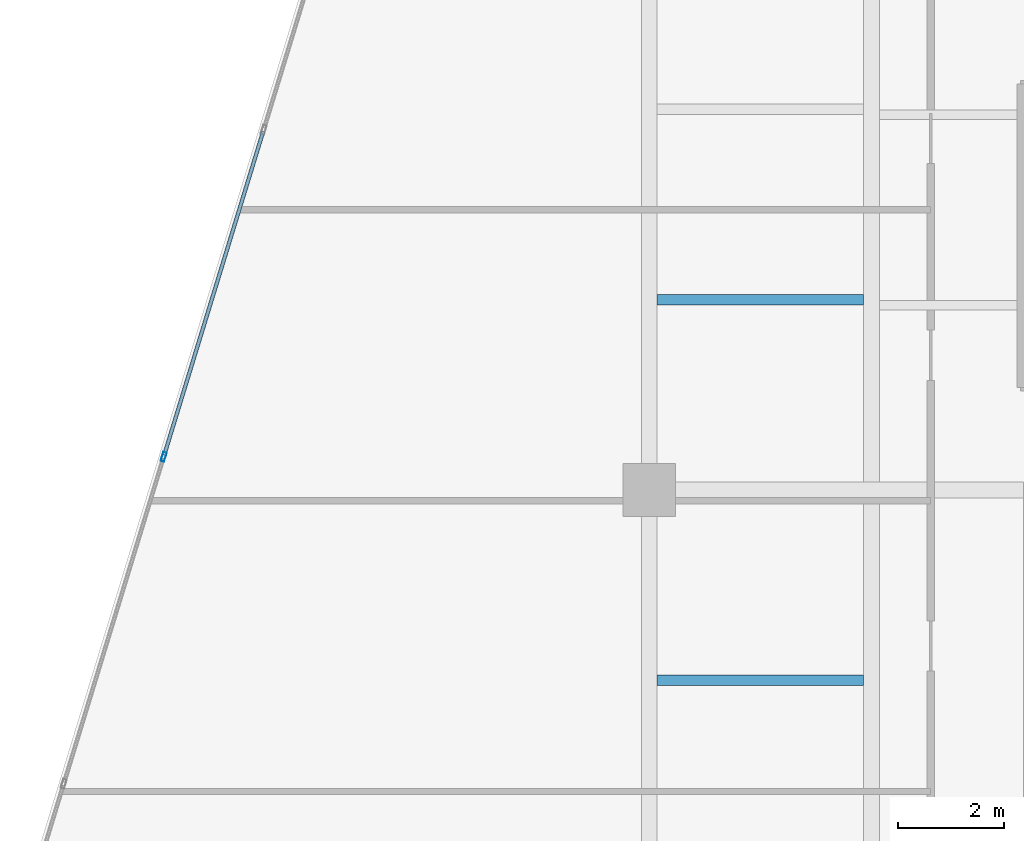
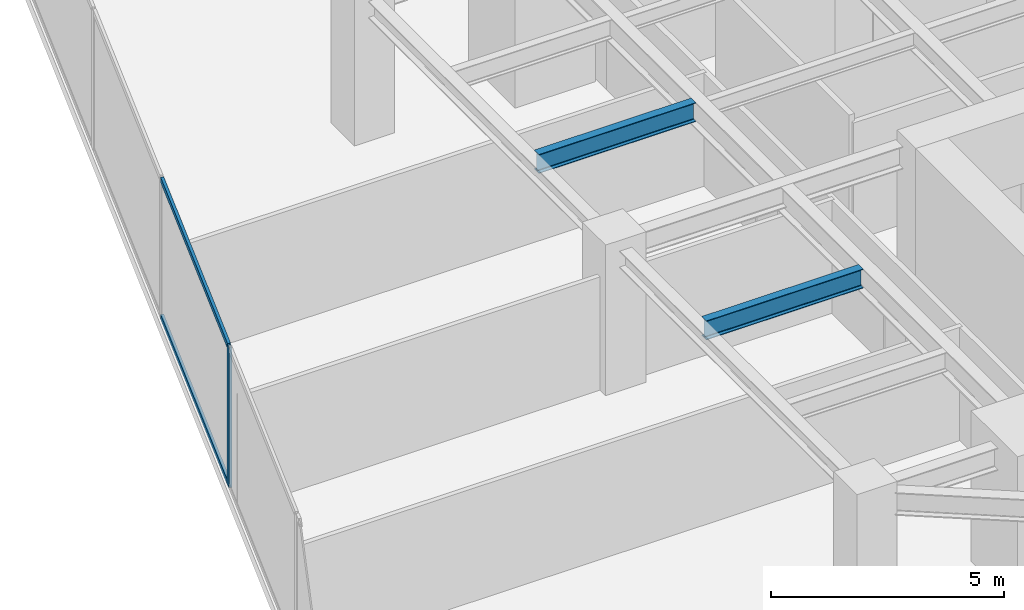
# One storey, part 7 of 26: 3 members, 2 beams, 1 element without a shape of its own.
"""IFC4 building model written with IfcOpenShell, lengths in metres."""

from ifc_helpers import new_model, si_unit, direction, frame, origin, origin_2d, place, context, subcontext, project, spatial, hollow_rectangle, i_section, extrude, source, transform, mapped, material, material_profile, profile_set, type_object, type_shapes, element, aggregate, save


model = new_model("IFC4")

# Units and contexts
model_context = context("Model", 3, precision=1e-05, world=origin(), true_north=direction((0.0, 1.0)))
body_context = subcontext(model_context, "Body", "Model", "MODEL_VIEW")
ifc_project = project(units=[si_unit("LENGTHUNIT", "METRE"), si_unit("AREAUNIT", "SQUARE_METRE"), si_unit("VOLUMEUNIT", "CUBIC_METRE"), si_unit("PLANEANGLEUNIT", "RADIAN"), si_unit("MASSUNIT", "GRAM", prefix="KILO")], contexts=[model_context])

# Site, building, storey
site_placement = place(None, origin())
site = spatial("IfcSite", under=ifc_project, at=site_placement, CompositionType="ELEMENT")
building_placement = place(site_placement, origin())
building = spatial("IfcBuilding", under=site, at=building_placement, Name="Krantzveldt Concourse Tower", CompositionType="ELEMENT")
storey_placement = place(building_placement, frame((0.0, 0.0, 113.75)))
storey = spatial("IfcBuildingStorey", under=building, at=storey_placement, Name="L27", CompositionType="ELEMENT", Elevation=113.75)

# Beams
ifc_material_1 = material(Name="Steel S355JR", Category="steel")
ifc_material_profile_1 = material_profile(ifc_material_1, i_section(OverallWidth=0.199951171875, OverallDepth=0.5, WebThickness=0.01025390625, FlangeThickness=0.01611328125, FilletRadius=0.02099609375, at=origin_2d()), Name="Steel S355JR", Category="steel")
ifc_profile_set_1 = profile_set([ifc_material_profile_1], Name="Steel S355JR - IPE 500")
beam_type = type_object("IfcBeamType", Name="BM-J-IPE500", PredefinedType="JOIST", material=ifc_profile_set_1)
shared_shape_1 = source(origin(), body_context, "Body", "SweptSolid", [
    extrude(i_section(OverallWidth=0.199951171875, OverallDepth=0.5, WebThickness=0.01025390625, FlangeThickness=0.01611328125, FilletRadius=0.02099609375, at=origin_2d()), origin(), (0.0, 0.0, 1.0), 3.900146484375),
])
type_shapes(beam_type, [shared_shape_1])
for number, where, z_axis, x_axis, name in (
    (1, (21.14990234375, 23.10009765625, 3.419921875), (1.0, 0.0, 0.0), (0.0, 1.0, 0.0), "L27 Secondary Floor Joist JW-2"),
    (2, (21.14990234375, 30.300048828125, 3.419921875), (1.0, 0.0, 0.0), (0.0, 1.0, 0.0), "L27 Secondary Floor Joist JW-3"),
):
    element("IfcBeam", number, at=place(storey_placement, frame(where, z_axis=z_axis, x_axis=x_axis)), inside=storey, type_object=beam_type, Name=name, PredefinedType="JOIST", context=body_context, shape_type="MappedRepresentation", body=[
        mapped(shared_shape_1, transform((0.0, 0.0, 0.0), x_axis=(1.0, 0.0, 0.0), y_axis=(0.0, 1.0, 0.0), z_axis=(0.0, 0.0, 1.0), scale=1.0)),
    ])

# Curtain wall, members
ifc_material_2 = material(Name="Anodised aluminium 6063-T6", Category="aluminium")
curtain_wall_type = type_object("IfcCurtainWallType", Name="CW2", PredefinedType="USERDEFINED", material=ifc_material_2)
curtain_wall_placement = place(storey_placement, origin())
curtain_wall = element("IfcCurtainWall", 3, at=curtain_wall_placement, inside=storey, type_object=curtain_wall_type, Name="CW-L27-F01", ObjectType="UNITISED CURTAIN WALL", PredefinedType="USERDEFINED")
ifc_material_profile_2 = material_profile(ifc_material_2, hollow_rectangle(XDim=0.070068359375, YDim=0.179931640625, WallThickness=0.0048828125, at=origin_2d()), Name="Anodised aluminium 6063-T6", Category="aluminium")
ifc_profile_set_2 = profile_set([ifc_material_profile_2], Name="Anodised aluminium 6063-T6 - ALU-MULL 180x70x5")
member_type_1 = type_object("IfcMemberType", Name="CW-MUL-180", PredefinedType="MULLION", material=ifc_profile_set_2)
shared_shape_2 = source(origin(), body_context, "Body", "SweptSolid", [
    extrude(hollow_rectangle(XDim=0.070068359375, YDim=0.179931640625, WallThickness=0.0048828125, at=origin_2d()), origin(), (0.0, 0.0, 1.0), 3.669921875),
])
type_shapes(member_type_1, [shared_shape_2])
member_1_placement = place(storey_placement, frame((11.81787109375, 27.3310546875, 0.0), z_axis=(0.0, 0.0, 1.0), x_axis=(0.956304761423, -0.292371686864, 0.0)))
member_1 = element("IfcMember", 4, at=member_1_placement, type_object=member_type_1, Name="CW-Z12 mullion 5", PredefinedType="MULLION", context=body_context, shape_type="MappedRepresentation", body=[
    mapped(shared_shape_2, transform((0.0, 0.0, 0.0), x_axis=(1.0, 0.0, 0.0), y_axis=(0.0, 1.0, 0.0), z_axis=(0.0, 0.0, 1.0), scale=1.0)),
])
ifc_material_profile_3 = material_profile(ifc_material_2, hollow_rectangle(XDim=0.070068359375, YDim=0.139892578125, WallThickness=0.0048828125, at=origin_2d()), Name="Anodised aluminium 6063-T6", Category="aluminium")
ifc_profile_set_3 = profile_set([ifc_material_profile_3], Name="Anodised aluminium 6063-T6 - ALU-TRAN 140x70x5")
member_type_2 = type_object("IfcMemberType", Name="CW-TRN-150", PredefinedType="USERDEFINED", material=ifc_profile_set_3)
shared_shape_3 = source(origin(), body_context, "Body", "SweptSolid", [
    extrude(hollow_rectangle(XDim=0.070068359375, YDim=0.139892578125, WallThickness=0.0048828125, at=origin_2d()), origin(), (0.0, 0.0, 1.0), 6.396728515625),
])
type_shapes(member_type_2, [shared_shape_3])
member_2_placement = place(storey_placement, frame((13.6982421875, 33.481689453125, 0.034912109375), z_axis=(-0.292358163404, -0.956308895855, 0.0), x_axis=(0.956308895855, -0.292358163404, 0.0)))
member_2 = element("IfcMember", 5, at=member_2_placement, type_object=member_type_2, Name="CW-Z12 transom 4.1", ObjectType="TRANSOM", PredefinedType="USERDEFINED", context=body_context, shape_type="MappedRepresentation", body=[
    mapped(shared_shape_3, transform((0.0, 0.0, 0.0), x_axis=(1.0, 0.0, 0.0), y_axis=(0.0, 1.0, 0.0), z_axis=(0.0, 0.0, 1.0), scale=1.0)),
])
member_3_placement = place(storey_placement, frame((13.6982421875, 33.481689453125, 3.635009765625), z_axis=(-0.292358163404, -0.956308895855, 0.0), x_axis=(0.956308895855, -0.292358163404, 0.0)))
member_3 = element("IfcMember", 6, at=member_3_placement, type_object=member_type_2, Name="CW-Z12 transom 4.2", ObjectType="TRANSOM", PredefinedType="USERDEFINED", context=body_context, shape_type="MappedRepresentation", body=[
    mapped(shared_shape_3, transform((0.0, 0.0, 0.0), x_axis=(1.0, 0.0, 0.0), y_axis=(0.0, 1.0, 0.0), z_axis=(0.0, 0.0, 1.0), scale=1.0)),
])
aggregate(curtain_wall, [member_1, member_2, member_3])

save(model, "model.ifc")
